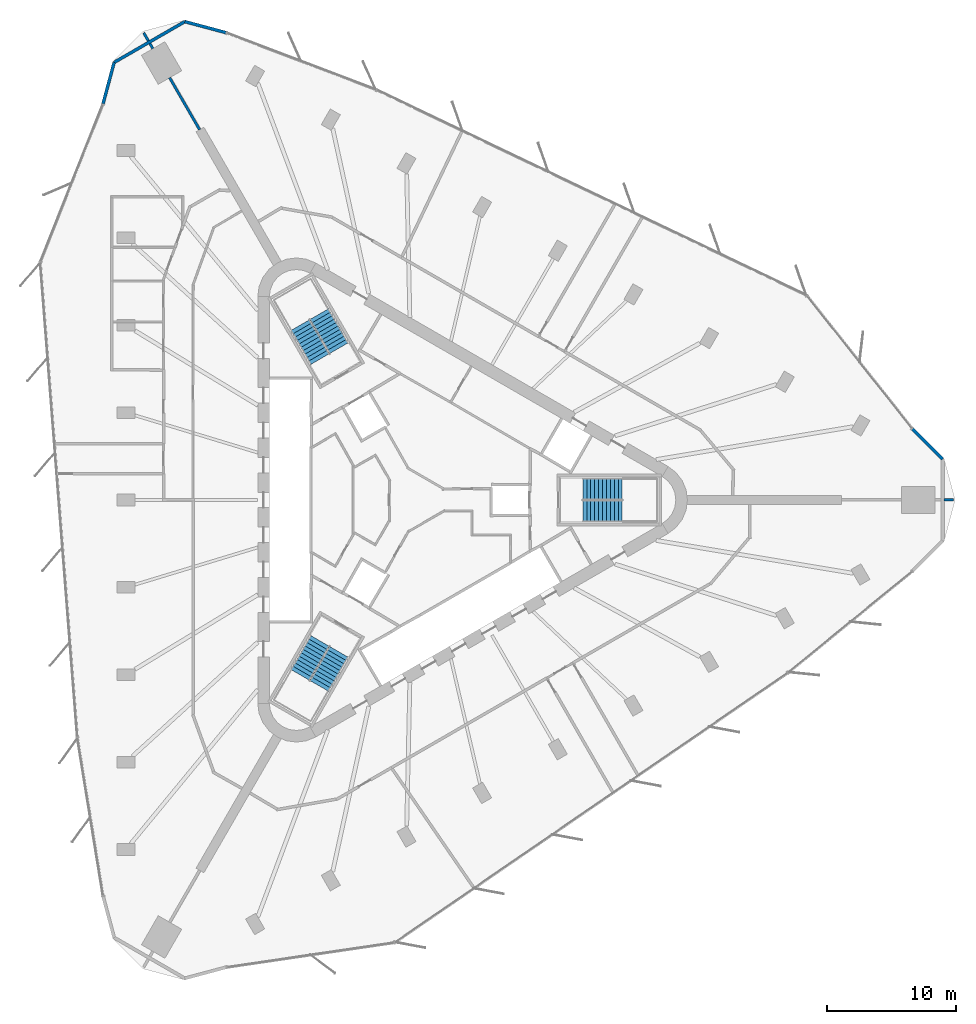
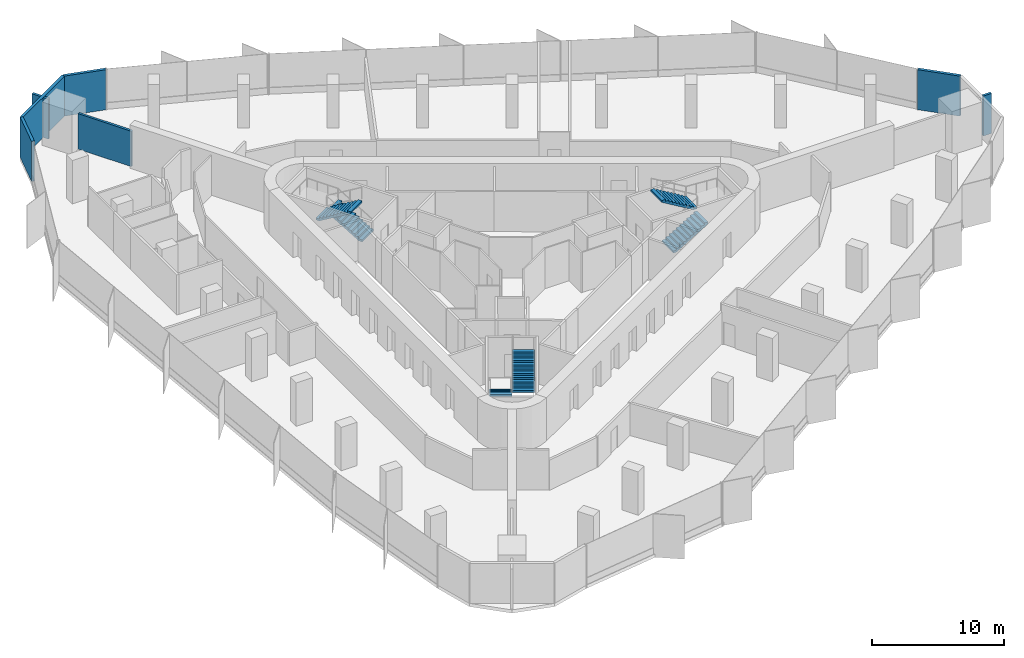
# One storey, part 12 of 13: 8 walls, 6 stair flights, 3 elements without a shape of their own.
"""IFC4 building model written with IfcOpenShell, lengths in metres."""

from ifc_helpers import new_model, si_unit, direction, frame, frame_2d, origin, place, context, subcontext, project, spatial, polyline, rectangle, outline, extrude, material, layer, layer_set, type_object, element, aggregate, save


model = new_model("IFC4")

# Units and contexts
model_context = context("Model", 3, precision=1e-05, world=origin(), true_north=direction((0.0, 1.0)))
body_context = subcontext(model_context, "Body", "Model", "MODEL_VIEW")
ifc_project = project(units=[si_unit("LENGTHUNIT", "METRE"), si_unit("AREAUNIT", "SQUARE_METRE"), si_unit("VOLUMEUNIT", "CUBIC_METRE"), si_unit("PLANEANGLEUNIT", "RADIAN"), si_unit("MASSUNIT", "GRAM", prefix="KILO")], contexts=[model_context])

# Site, building, storey
site_placement = place(None, origin())
site = spatial("IfcSite", under=ifc_project, at=site_placement, CompositionType="ELEMENT")
building_placement = place(site_placement, origin())
building = spatial("IfcBuilding", under=site, at=building_placement, Name="Tanit Gate Tower", CompositionType="ELEMENT")
storey_placement = place(building_placement, frame((0.0, 0.0, 201.199951171875)))
storey = spatial("IfcBuildingStorey", under=building, at=storey_placement, Name="L44", CompositionType="ELEMENT", Elevation=201.199951171875)

# Walls
ifc_material_1 = material(Name="Concrete C30/37 with bronze anodised aluminium cladding", Category="concrete")
ifc_layer_1 = layer(ifc_material_1, 0.239990234375)
ifc_layer_set_1 = layer_set([ifc_layer_1], Name="Facade wall bronze clad 240")
wall_type_1 = type_object("IfcWallType", Name="Facade wall bronze clad 240", PredefinedType="SOLIDWALL", material=ifc_layer_set_1)
wall_1_placement = place(storey_placement, frame((-14.560302734375, 36.22119140625, 0.0), z_axis=(0.0, 0.0, 1.0), x_axis=(-0.965922648034, 0.258830906222, 0.0)))
element("IfcWall", 1, at=wall_1_placement, inside=storey, type_object=wall_type_1, Name="Bronze-clad facade wall L44 NW.arc1", PredefinedType="SOLIDWALL", context=body_context, shape_type="SweptSolid", body=[
    extrude(rectangle(XDim=3.30322265625, YDim=0.239990234375, at=frame_2d((1.651611328125, 0.0))), origin(), (0.0, 0.0, 1.0), 3.699951171875),
])
wall_2_placement = place(storey_placement, frame((-17.7509765625, 37.076171875, 0.0), z_axis=(0.0, 0.0, 1.0), x_axis=(-0.86602503047, -0.5000006466, 0.0)))
element("IfcWall", 2, at=wall_2_placement, inside=storey, type_object=wall_type_1, Name="Bronze-clad facade wall L44 NW.arc2", PredefinedType="SOLIDWALL", context=body_context, shape_type="SweptSolid", body=[
    extrude(rectangle(XDim=6.33056640625, YDim=0.239990234375, at=frame_2d((3.165283203125, 0.0))), origin(), (0.0, 0.0, 1.0), 3.699951171875),
])
wall_3_placement = place(storey_placement, frame((-23.2333984375, 33.910888671875, 0.0), z_axis=(0.0, 0.0, 1.0), x_axis=(-0.258853842949, -0.965916501562, 0.0)))
element("IfcWall", 3, at=wall_3_placement, inside=storey, type_object=wall_type_1, Name="Bronze-clad facade wall L44 NW.arc3", PredefinedType="SOLIDWALL", context=body_context, shape_type="SweptSolid", body=[
    extrude(rectangle(XDim=3.316162109375, YDim=0.239990234375, at=frame_2d((1.658203125, 0.0))), origin(), (0.0, 0.0, 1.0), 3.699951171875),
])
wall_4_placement = place(storey_placement, frame((40.984375, 3.165283203125, 0.0), z_axis=(0.0, 0.0, 1.0), x_axis=(-0.707106781187, 0.707106781187, 0.0)))
element("IfcWall", 4, at=wall_4_placement, inside=storey, type_object=wall_type_1, Name="Bronze-clad facade wall L44 E.arc3", PredefinedType="SOLIDWALL", context=body_context, shape_type="SweptSolid", body=[
    extrude(rectangle(XDim=3.31640625, YDim=0.239990234375, at=frame_2d((1.658203125, 0.0))), origin(), (0.0, 0.0, 1.0), 3.699951171875),
])
ifc_material_2 = material(Name="Fire-rated gypsum board partition")
ifc_layer_2 = layer(ifc_material_2, 0.199951171875)
ifc_layer_set_2 = layer_set([ifc_layer_2], Name="INT-WALL-COMPARTMENT")
wall_type_2 = type_object("IfcWallType", Name="INT-WALL-COMPARTMENT", PredefinedType="PARTITIONING", material=ifc_layer_set_2)
wall_5_placement = place(storey_placement, frame((-20.938232421875, 36.2060546875, 0.0), z_axis=(0.0, 0.0, 1.0), x_axis=(0.49996696679, -0.866044474677, 0.0)))
element("IfcWall", 5, at=wall_5_placement, inside=storey, type_object=wall_type_2, Name="Wall Compartment W119", PredefinedType="PARTITIONING", context=body_context, shape_type="SweptSolid", body=[
    extrude(rectangle(XDim=0.72021484375, YDim=0.199951171875, at=frame_2d((0.360107421875, 0.0))), origin(), (0.0, 0.0, 1.0), 3.699951171875),
])
wall_6_placement = place(storey_placement, frame((-20.458251953125, 35.37451171875, 0.0), z_axis=(0.0, 0.0, 1.0), x_axis=(0.500384246316, -0.865803445384, 0.0)))
element("IfcWall", 6, at=wall_6_placement, inside=storey, type_object=wall_type_2, Name="Wall Compartment W119x1", PredefinedType="PARTITIONING", context=body_context, shape_type="SweptSolid", body=[
    extrude(rectangle(XDim=0.457763671875, YDim=0.199951171875, at=frame_2d((0.22900390625, 0.0))), origin(), (0.0, 0.0, 1.0), 3.699951171875),
])
wall_7_placement = place(storey_placement, frame((-18.929443359375, 32.7265625, 0.0), z_axis=(0.0, 0.0, 1.0), x_axis=(0.500007271693, -0.86602120543, 0.0)))
element("IfcWall", 7, at=wall_7_placement, inside=storey, type_object=wall_type_2, Name="Wall Compartment W120", PredefinedType="PARTITIONING", context=body_context, shape_type="SweptSolid", body=[
    extrude(rectangle(XDim=4.64990234375, YDim=0.199951171875, at=frame_2d((2.324951171875, 0.0))), origin(), (0.0, 0.0, 1.0), 3.27001953125),
])
wall_8_placement = place(storey_placement, frame((41.104248046875, 0.030029296875, 0.0), z_axis=(0.0, 0.0, 1.0), x_axis=(1.0, 0.0, 0.0)))
element("IfcWall", 8, at=wall_8_placement, inside=storey, type_object=wall_type_2, Name="Wall Compartment W132x1", PredefinedType="PARTITIONING", context=body_context, shape_type="SweptSolid", body=[
    extrude(rectangle(XDim=0.72021484375, YDim=0.199951171875, at=frame_2d((0.360107421875, 0.0))), origin(), (0.0, 0.0, 1.0), 3.699951171875),
])

# Stair, stair flights
ifc_material_3 = material(Name="Concrete C40/50", Category="concrete")
stair_type = type_object("IfcStairType", Name="INT-STAIR-EXIT", PredefinedType="HALF_TURN_STAIR", material=ifc_material_3)
stair_1_placement = place(storey_placement, origin())
stair_1 = element("IfcStair", 9, at=stair_1_placement, inside=storey, type_object=stair_type, Name="L44 STAIR S1", PredefinedType="HALF_TURN_STAIR")
ifc_material_4 = material(Name="Concrete C40/50", Category="concrete")
stair_flight_type = type_object("IfcStairFlightType", Name="INT-STAIR-FLIGHT", PredefinedType="STRAIGHT", material=ifc_material_4)
stair_flight_1_placement = place(storey_placement, frame((13.094970703125, -0.8525390625, 0.0), z_axis=(0.0, 0.0, 1.0), x_axis=(1.0, 0.0, 0.0)))
stair_flight_1 = element("IfcStairFlight", 10, at=stair_flight_1_placement, type_object=stair_flight_type, Name="S1 flight 1", NumberOfRisers=11, NumberOfTreads=10, PredefinedType="STRAIGHT", RiserHeight=0.181818182, TreadLength=0.3051, context=body_context, shape_type="SweptSolid", body=[
    extrude(outline(polyline([(0.0, 0.0), (0.0, 0.181884765625), (0.30517578125, 0.181884765625), (0.30517578125, 0.363525390625), (0.610107421875, 0.363525390625), (0.610107421875, 0.54541015625), (0.915283203125, 0.54541015625), (0.915283203125, 0.727294921875), (1.220458984375, 0.727294921875), (1.220458984375, 0.9091796875), (1.525390625, 0.9091796875), (1.525390625, 1.0908203125), (1.83056640625, 1.0908203125), (1.83056640625, 1.272705078125), (2.1357421875, 1.272705078125), (2.1357421875, 1.45458984375), (2.44091796875, 1.45458984375), (2.44091796875, 1.636474609375), (2.745849609375, 1.636474609375), (2.745849609375, 1.818115234375), (3.051025390625, 1.818115234375), (3.051025390625, 2.0), (3.051025390625, 1.643798828125), (0.292724609375, 0.0), (0.0, 0.0)])), frame((0.0, 0.84765625, 0.0), z_axis=(0.0, -1.0, 0.0), x_axis=(1.0, 0.0, 0.0)), (0.0, 0.0, 1.0), 1.695068359375),
])
stair_flight_2_placement = place(storey_placement, frame((16.14599609375, 0.8525390625, 2.0), z_axis=(0.0, 0.0, 1.0), x_axis=(-1.0, 0.0, 0.0)))
stair_flight_2 = element("IfcStairFlight", 11, at=stair_flight_2_placement, type_object=stair_flight_type, Name="S1 flight 2", NumberOfRisers=11, NumberOfTreads=10, PredefinedType="STRAIGHT", RiserHeight=0.181818182, TreadLength=0.3051, context=body_context, shape_type="SweptSolid", body=[
    extrude(outline(polyline([(0.0, 0.0), (0.0, 0.181884765625), (0.30517578125, 0.181884765625), (0.30517578125, 0.363525390625), (0.610107421875, 0.363525390625), (0.610107421875, 0.54541015625), (0.915283203125, 0.54541015625), (0.915283203125, 0.727294921875), (1.220458984375, 0.727294921875), (1.220458984375, 0.9091796875), (1.525390625, 0.9091796875), (1.525390625, 1.0908203125), (1.83056640625, 1.0908203125), (1.83056640625, 1.272705078125), (2.1357421875, 1.272705078125), (2.1357421875, 1.45458984375), (2.44091796875, 1.45458984375), (2.44091796875, 1.636474609375), (2.745849609375, 1.636474609375), (2.745849609375, 1.818115234375), (3.051025390625, 1.818115234375), (3.051025390625, 2.0), (3.051025390625, 1.643798828125), (0.292724609375, 0.0), (0.0, 0.0)])), frame((0.0, 0.84765625, 0.0), z_axis=(0.0, -1.0, 0.0), x_axis=(1.0, 0.0, 0.0)), (0.0, 0.0, 1.0), 1.695068359375),
])
aggregate(stair_1, [stair_flight_1, stair_flight_2])

stair_2_placement = place(storey_placement, origin())
stair_2 = element("IfcStair", 12, at=stair_2_placement, inside=storey, type_object=stair_type, Name="L44 STAIR S2", PredefinedType="HALF_TURN_STAIR")
stair_flight_3_placement = place(storey_placement, frame((-5.808349609375, 11.766357421875, 0.0), z_axis=(0.0, 0.0, 1.0), x_axis=(-0.5, 0.866025403784, 0.0)))
stair_flight_3 = element("IfcStairFlight", 13, at=stair_flight_3_placement, type_object=stair_flight_type, Name="S2 flight 1", NumberOfRisers=11, NumberOfTreads=10, PredefinedType="STRAIGHT", RiserHeight=0.181818182, TreadLength=0.30492, context=body_context, shape_type="SweptSolid", body=[
    extrude(outline(polyline([(0.0, 0.0), (0.0, 0.181884765625), (0.304931640625, 0.181884765625), (0.304931640625, 0.363525390625), (0.60986328125, 0.363525390625), (0.60986328125, 0.54541015625), (0.914794921875, 0.54541015625), (0.914794921875, 0.727294921875), (1.2197265625, 0.727294921875), (1.2197265625, 0.9091796875), (1.524658203125, 0.9091796875), (1.524658203125, 1.0908203125), (1.82958984375, 1.0908203125), (1.82958984375, 1.272705078125), (2.134521484375, 1.272705078125), (2.134521484375, 1.45458984375), (2.439453125, 1.45458984375), (2.439453125, 1.636474609375), (2.744384765625, 1.636474609375), (2.744384765625, 1.818115234375), (3.04931640625, 1.818115234375), (3.04931640625, 2.0), (3.04931640625, 1.6435546875), (0.292724609375, 0.0), (0.0, 0.0)])), frame((0.0, 0.84716796875, 0.0), z_axis=(0.0, -1.0, 0.0), x_axis=(1.0, 0.0, 0.0)), (0.0, 0.0, 1.0), 1.694091796875),
])
stair_flight_4_placement = place(storey_placement, frame((-8.810302734375, 13.553955078125, 2.0), z_axis=(0.0, 0.0, 1.0), x_axis=(0.5, -0.866025403784, 0.0)))
stair_flight_4 = element("IfcStairFlight", 14, at=stair_flight_4_placement, type_object=stair_flight_type, Name="S2 flight 2", NumberOfRisers=11, NumberOfTreads=10, PredefinedType="STRAIGHT", RiserHeight=0.181818182, TreadLength=0.30492, context=body_context, shape_type="SweptSolid", body=[
    extrude(outline(polyline([(0.0, 0.0), (0.0, 0.181884765625), (0.304931640625, 0.181884765625), (0.304931640625, 0.363525390625), (0.60986328125, 0.363525390625), (0.60986328125, 0.54541015625), (0.914794921875, 0.54541015625), (0.914794921875, 0.727294921875), (1.2197265625, 0.727294921875), (1.2197265625, 0.9091796875), (1.524658203125, 0.9091796875), (1.524658203125, 1.0908203125), (1.82958984375, 1.0908203125), (1.82958984375, 1.272705078125), (2.134521484375, 1.272705078125), (2.134521484375, 1.45458984375), (2.439453125, 1.45458984375), (2.439453125, 1.636474609375), (2.744384765625, 1.636474609375), (2.744384765625, 1.818115234375), (3.04931640625, 1.818115234375), (3.04931640625, 2.0), (3.04931640625, 1.6435546875), (0.292724609375, 0.0), (0.0, 0.0)])), frame((0.0, 0.84716796875, 0.0), z_axis=(0.0, -1.0, 0.0), x_axis=(1.0, 0.0, 0.0)), (0.0, 0.0, 1.0), 1.694091796875),
])
aggregate(stair_2, [stair_flight_3, stair_flight_4])

stair_3_placement = place(storey_placement, origin())
stair_3 = element("IfcStair", 15, at=stair_3_placement, inside=storey, type_object=stair_type, Name="L44 STAIR S3", PredefinedType="HALF_TURN_STAIR")
stair_flight_5_placement = place(storey_placement, frame((-7.285888671875, -10.914306640625, 0.0), z_axis=(0.0, 0.0, 1.0), x_axis=(-0.5, -0.866025403784, 0.0)))
stair_flight_5 = element("IfcStairFlight", 16, at=stair_flight_5_placement, type_object=stair_flight_type, Name="S3 flight 1", NumberOfRisers=11, NumberOfTreads=10, PredefinedType="STRAIGHT", RiserHeight=0.181818182, TreadLength=0.3051, context=body_context, shape_type="SweptSolid", body=[
    extrude(outline(polyline([(0.0, 0.0), (0.0, 0.181884765625), (0.30517578125, 0.181884765625), (0.30517578125, 0.363525390625), (0.610107421875, 0.363525390625), (0.610107421875, 0.54541015625), (0.915283203125, 0.54541015625), (0.915283203125, 0.727294921875), (1.220458984375, 0.727294921875), (1.220458984375, 0.9091796875), (1.525390625, 0.9091796875), (1.525390625, 1.0908203125), (1.83056640625, 1.0908203125), (1.83056640625, 1.272705078125), (2.1357421875, 1.272705078125), (2.1357421875, 1.45458984375), (2.44091796875, 1.45458984375), (2.44091796875, 1.636474609375), (2.745849609375, 1.636474609375), (2.745849609375, 1.818115234375), (3.051025390625, 1.818115234375), (3.051025390625, 2.0), (3.051025390625, 1.643798828125), (0.292724609375, 0.0), (0.0, 0.0)])), frame((0.0, 0.84765625, 0.0), z_axis=(0.0, -1.0, 0.0), x_axis=(1.0, 0.0, 0.0)), (0.0, 0.0, 1.0), 1.695068359375),
])
stair_flight_6_placement = place(storey_placement, frame((-7.334716796875, -14.4091796875, 2.0), z_axis=(0.0, 0.0, 1.0), x_axis=(0.5, 0.866025403784, 0.0)))
stair_flight_6 = element("IfcStairFlight", 17, at=stair_flight_6_placement, type_object=stair_flight_type, Name="S3 flight 2", NumberOfRisers=11, NumberOfTreads=10, PredefinedType="STRAIGHT", RiserHeight=0.181818182, TreadLength=0.3051, context=body_context, shape_type="SweptSolid", body=[
    extrude(outline(polyline([(0.0, 0.0), (0.0, 0.181884765625), (0.30517578125, 0.181884765625), (0.30517578125, 0.363525390625), (0.610107421875, 0.363525390625), (0.610107421875, 0.54541015625), (0.915283203125, 0.54541015625), (0.915283203125, 0.727294921875), (1.220458984375, 0.727294921875), (1.220458984375, 0.9091796875), (1.525390625, 0.9091796875), (1.525390625, 1.0908203125), (1.83056640625, 1.0908203125), (1.83056640625, 1.272705078125), (2.1357421875, 1.272705078125), (2.1357421875, 1.45458984375), (2.44091796875, 1.45458984375), (2.44091796875, 1.636474609375), (2.745849609375, 1.636474609375), (2.745849609375, 1.818115234375), (3.051025390625, 1.818115234375), (3.051025390625, 2.0), (3.051025390625, 1.643798828125), (0.292724609375, 0.0), (0.0, 0.0)])), frame((0.0, 0.84765625, 0.0), z_axis=(0.0, -1.0, 0.0), x_axis=(1.0, 0.0, 0.0)), (0.0, 0.0, 1.0), 1.695068359375),
])
aggregate(stair_3, [stair_flight_5, stair_flight_6])

save(model, "model.ifc")
